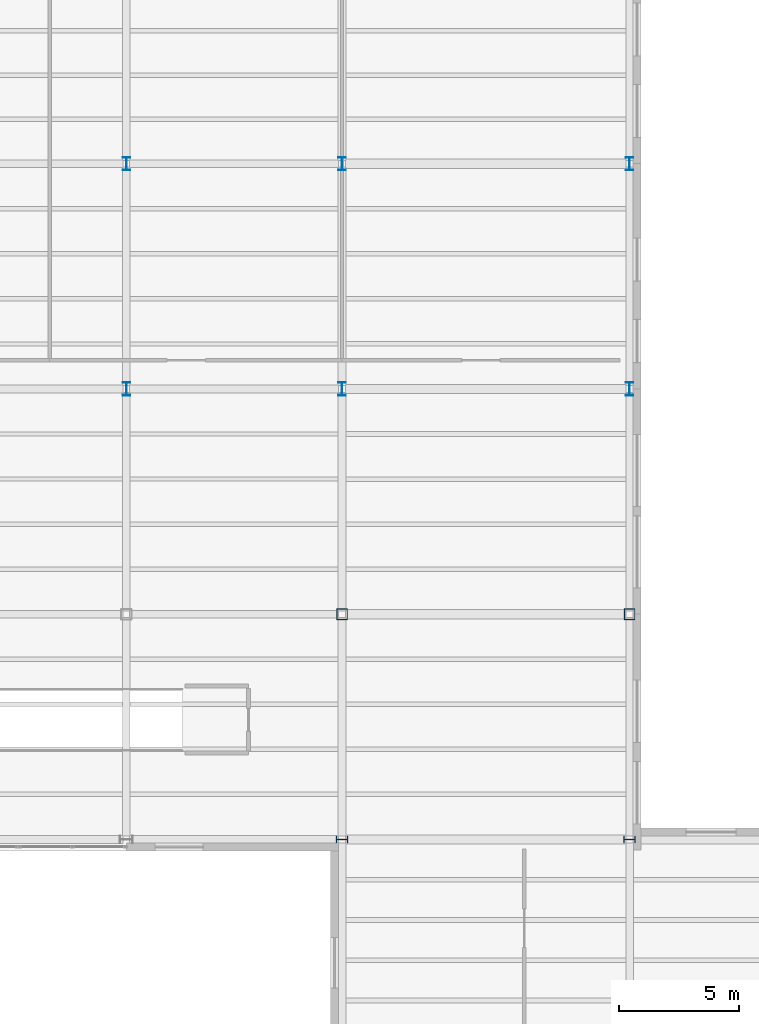
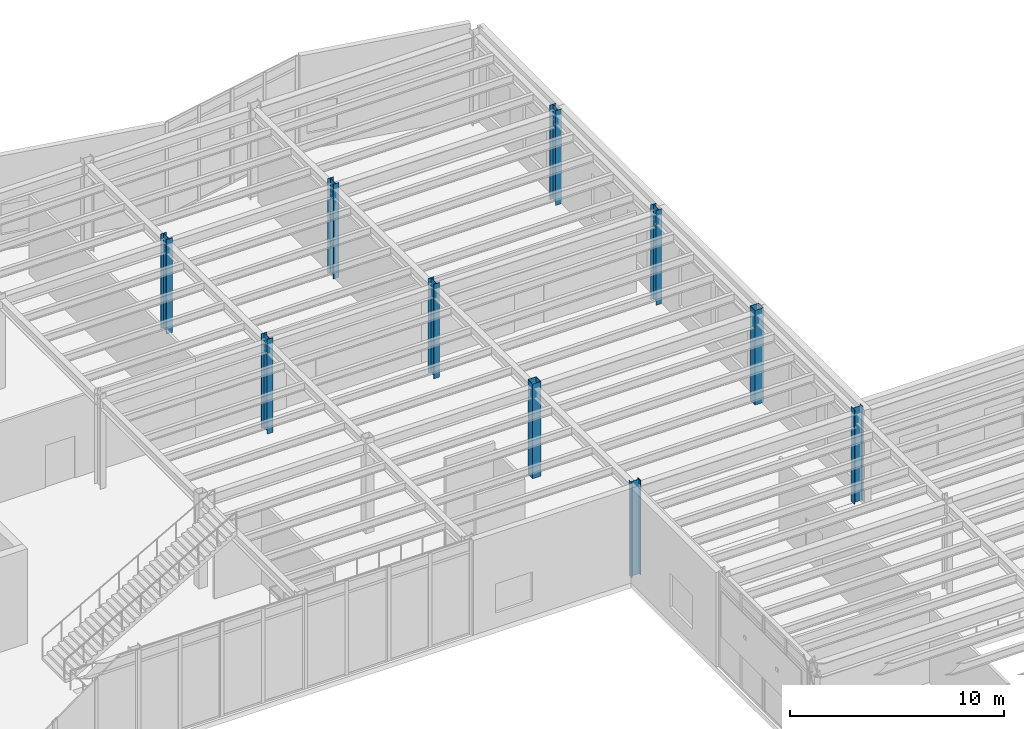
# One storey, part 12 of 98: 10 columns.
"""IFC4 building model written with IfcOpenShell, lengths in metres."""

from ifc_helpers import new_model, si_unit, direction, frame, origin, origin_2d, place, context, subcontext, project, spatial, hollow_rectangle, i_section, extrude, material, material_profile, profile_set, type_object, element, save


model = new_model("IFC4")

# Units and contexts
model_context = context("Model", 3, precision=1e-05, world=origin(), true_north=direction((0.0, 1.0)))
body_context = subcontext(model_context, "Body", "Model", "MODEL_VIEW")
ifc_project = project(units=[si_unit("LENGTHUNIT", "METRE"), si_unit("AREAUNIT", "SQUARE_METRE"), si_unit("VOLUMEUNIT", "CUBIC_METRE"), si_unit("PLANEANGLEUNIT", "RADIAN"), si_unit("MASSUNIT", "GRAM", prefix="KILO")], contexts=[model_context])

# Site, building, storey
site_placement = place(None, origin())
site = spatial("IfcSite", under=ifc_project, at=site_placement, CompositionType="ELEMENT")
building_placement = place(site_placement, origin())
building = spatial("IfcBuilding", under=site, at=building_placement, Name="Sollismere Congress Hotel", CompositionType="ELEMENT")
storey_placement = place(building_placement, frame((0.0, 0.0, 5.39990234375)))
storey = spatial("IfcBuildingStorey", under=building, at=storey_placement, Name="L01", CompositionType="ELEMENT", Elevation=5.39990234375)

# Columns
ifc_material_1 = material(Name="Steel ASTM A500 Grade C", Category="steel")
ifc_material_profile_1 = material_profile(ifc_material_1, hollow_rectangle(XDim=0.449951171875, YDim=0.449951171875, WallThickness=0.01611328125, at=origin_2d()), Name="HSS450X450X16")
ifc_profile_set_1 = profile_set([ifc_material_profile_1], Name="Steel ASTM A500 Grade C")
column_type_1 = type_object("IfcColumnType", Name="COL-HSS450I", PredefinedType="COLUMN", material=ifc_profile_set_1)
for number, where, z_axis, x_axis, name in (
    (1, (112.0, 76.199951171875, 0.0), (0.0, 0.0, 1.0), (1.0, 0.0, 0.0), "Column CL-L01-627"),
    (2, (124.0, 76.199951171875, 0.0), (0.0, 0.0, 1.0), (1.0, 0.0, 0.0), "Column CL-L01-709"),
):
    element("IfcColumn", number, at=place(storey_placement, frame(where, z_axis=z_axis, x_axis=x_axis)), inside=storey, type_object=column_type_1, Name=name, PredefinedType="COLUMN", context=body_context, shape_type="SweptSolid", body=[
        extrude(hollow_rectangle(XDim=0.449951171875, YDim=0.449951171875, WallThickness=0.01611328125, at=origin_2d()), origin(), (0.0, 0.0, 1.0), 5.400146484375),
    ])
ifc_material_2 = material(Name="Steel ASTM A992 Grade 50", Category="steel")
ifc_material_profile_2 = material_profile(ifc_material_2, i_section(OverallWidth=0.283935546875, OverallDepth=0.4951171875, WebThickness=0.0185546875, FlangeThickness=0.033447265625, at=origin_2d()), Name="W18X143")
ifc_profile_set_2 = profile_set([ifc_material_profile_2], Name="Steel ASTM A992 Grade 50")
column_type_2 = type_object("IfcColumnType", Name="COL-W18", PredefinedType="COLUMN", material=ifc_profile_set_2)
for number, where, z_axis, x_axis, name in (
    (3, (112.0, 66.800048828125, 0.0), (0.0, 0.0, 1.0), (0.0, 1.0, 0.0), "Column CL-L01-624"),
    (4, (124.0, 66.800048828125, 0.0), (0.0, 0.0, 1.0), (0.0, 1.0, 0.0), "Column CL-L01-706"),
):
    element("IfcColumn", number, at=place(storey_placement, frame(where, z_axis=z_axis, x_axis=x_axis)), inside=storey, type_object=column_type_2, Name=name, PredefinedType="COLUMN", context=body_context, shape_type="SweptSolid", body=[
        extrude(i_section(OverallWidth=0.283935546875, OverallDepth=0.4951171875, WebThickness=0.0185546875, FlangeThickness=0.033447265625, at=origin_2d()), origin(), (0.0, 0.0, 1.0), 5.400146484375),
    ])
ifc_material_profile_3 = material_profile(ifc_material_2, i_section(OverallWidth=0.31494140625, OverallDepth=0.551025390625, WebThickness=0.01513671875, FlangeThickness=0.0244140625, at=origin_2d()), Name="W21X122")
ifc_profile_set_3 = profile_set([ifc_material_profile_3], Name="Steel ASTM A992 Grade 50")
column_type_3 = type_object("IfcColumnType", Name="COL-W21", PredefinedType="COLUMN", material=ifc_profile_set_3)
for number, where, z_axis, x_axis, name in (
    (5, (103.0, 85.60009765625, 0.0), (0.0, 0.0, 1.0), (1.0, 0.0, 0.0), "Column CL-L01-555"),
    (6, (103.0, 95.0, 0.0), (0.0, 0.0, 1.0), (1.0, 0.0, 0.0), "Column CL-L01-561"),
    (7, (112.0, 85.60009765625, 0.0), (0.0, 0.0, 1.0), (1.0, 0.0, 0.0), "Column CL-L01-633"),
    (8, (112.0, 95.0, 0.0), (0.0, 0.0, 1.0), (1.0, 0.0, 0.0), "Column CL-L01-639"),
    (9, (124.0, 85.60009765625, 0.0), (0.0, 0.0, 1.0), (1.0, 0.0, 0.0), "Column CL-L01-715"),
    (10, (124.0, 95.0, 0.0), (0.0, 0.0, 1.0), (1.0, 0.0, 0.0), "Column CL-L01-721"),
):
    element("IfcColumn", number, at=place(storey_placement, frame(where, z_axis=z_axis, x_axis=x_axis)), inside=storey, type_object=column_type_3, Name=name, PredefinedType="COLUMN", context=body_context, shape_type="SweptSolid", body=[
        extrude(i_section(OverallWidth=0.31494140625, OverallDepth=0.551025390625, WebThickness=0.01513671875, FlangeThickness=0.0244140625, at=origin_2d()), origin(), (0.0, 0.0, 1.0), 5.400146484375),
    ])

save(model, "model.ifc")
